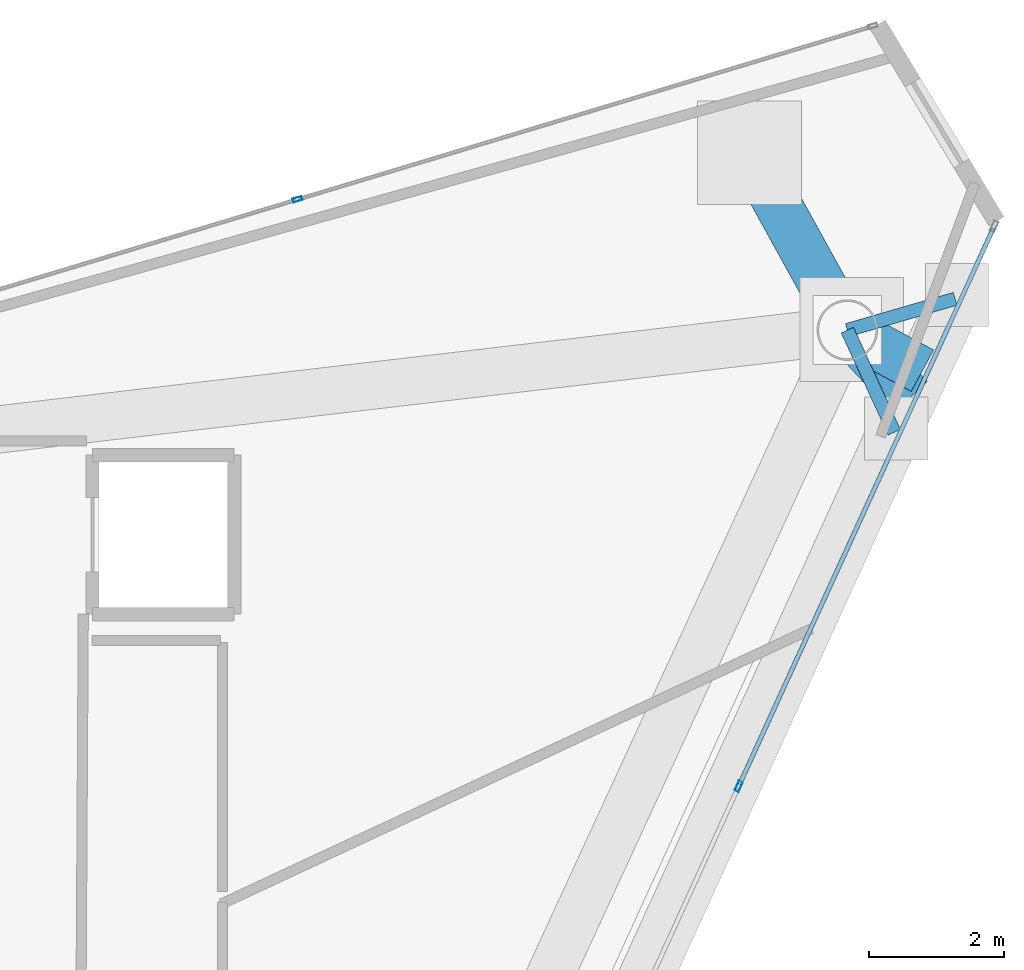
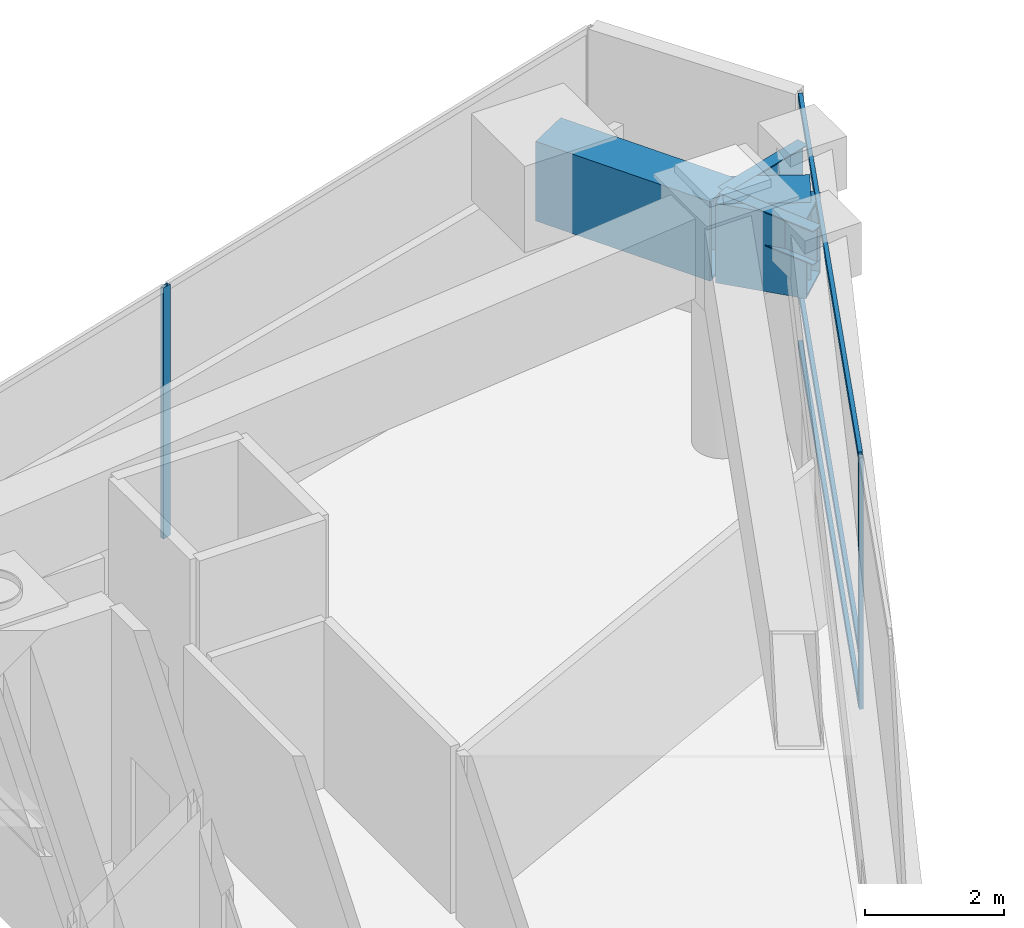
# One storey, part 13 of 20: 5 beams, 5 members, 2 elements without a shape of their own.
"""IFC4 building model written with IfcOpenShell, lengths in metres."""

from ifc_helpers import new_model, si_unit, direction, frame, origin, origin_2d, place, context, subcontext, project, spatial, hollow_rectangle, i_section, extrude, material, layer, layer_set, material_profile, profile_set, type_object, element, aggregate, save


model = new_model("IFC4")

# Units and contexts
model_context = context("Model", 3, precision=1e-05, world=origin(), true_north=direction((0.0, 1.0)))
body_context = subcontext(model_context, "Body", "Model", "MODEL_VIEW")
ifc_project = project(units=[si_unit("LENGTHUNIT", "METRE"), si_unit("AREAUNIT", "SQUARE_METRE"), si_unit("VOLUMEUNIT", "CUBIC_METRE"), si_unit("PLANEANGLEUNIT", "RADIAN"), si_unit("MASSUNIT", "GRAM", prefix="KILO")], contexts=[model_context])

# Site, building, storey
site_placement = place(None, origin())
site = spatial("IfcSite", under=ifc_project, at=site_placement, CompositionType="ELEMENT")
building_placement = place(site_placement, origin())
building = spatial("IfcBuilding", under=site, at=building_placement, Name="Qianvela Tower", CompositionType="ELEMENT")
storey_placement = place(building_placement, frame((0.0, 0.0, 321.300048828125)))
storey = spatial("IfcBuildingStorey", under=building, at=storey_placement, Name="L83", CompositionType="ELEMENT", Elevation=321.300048828125)

# Beams
ifc_material_1 = material(Name="Steel Q355B", Category="steel")
ifc_material_profile_1 = material_profile(ifc_material_1, i_section(OverallWidth=0.199951171875, OverallDepth=0.60009765625, WebThickness=0.010986328125, FlangeThickness=0.01708984375, at=origin_2d()), Name="HN600x200x11x17")
ifc_profile_set_1 = profile_set([ifc_material_profile_1], Name="Steel Q355B")
beam_type_1 = type_object("IfcBeamType", Name="BM-HN600-GIRD", PredefinedType="BEAM", material=ifc_profile_set_1)
beam_1_placement = place(storey_placement, frame((52.64794921875, 37.135009765625, 4.117919921875), z_axis=(0.418055411606, -0.908421528161, 0.0), x_axis=(0.908421528161, 0.418055411606, 0.0)))
element("IfcBeam", 1, at=beam_1_placement, inside=storey, type_object=beam_type_1, Name="L83 Mega-Brace Column Tie Bracket F3-1", PredefinedType="BEAM", context=body_context, shape_type="SweptSolid", body=[
    extrude(i_section(OverallWidth=0.199951171875, OverallDepth=0.60009765625, WebThickness=0.010986328125, FlangeThickness=0.01708984375, at=origin_2d()), origin(), (0.0, 0.0, 1.0), 1.66796875),
])
beam_2_placement = place(storey_placement, frame((52.64794921875, 37.135009765625, 4.117919921875), z_axis=(0.960505537292, 0.278260871902, 0.0), x_axis=(-0.278260871902, 0.960505537292, 0.0)))
element("IfcBeam", 2, at=beam_2_placement, inside=storey, type_object=beam_type_1, Name="L83 Mega-Brace Column Tie Bracket F3-2", PredefinedType="BEAM", context=body_context, shape_type="SweptSolid", body=[
    extrude(i_section(OverallWidth=0.199951171875, OverallDepth=0.60009765625, WebThickness=0.010986328125, FlangeThickness=0.01708984375, at=origin_2d()), origin(), (0.0, 0.0, 1.0), 1.666259765625),
])
ifc_material_2 = material(Name="Steel Q420GJC", Category="steel")
ifc_material_profile_2 = material_profile(ifc_material_2, hollow_rectangle(XDim=0.699951171875, YDim=1.39990234375, WallThickness=0.0400390625, at=origin_2d()), Name="TG-BOX-1400x700x40")
ifc_profile_set_2 = profile_set([ifc_material_profile_2], Name="Steel Q420GJC")
beam_type_2 = type_object("IfcBeamType", Name="BM-TG-STEP-1400", PredefinedType="BEAM", material=ifc_profile_set_2)
beam_3_placement = place(storey_placement, frame((52.64794921875, 37.135009765625, 3.71484375), z_axis=(0.680943745316, -0.732335726095, 0.0), x_axis=(0.732335726095, 0.680943745316, 0.0)))
element("IfcBeam", 3, at=beam_3_placement, inside=storey, type_object=beam_type_2, Name="L83 Mega-Brace Zone Base Bracket F3-1", PredefinedType="BEAM", context=body_context, shape_type="SweptSolid", body=[
    extrude(hollow_rectangle(XDim=0.699951171875, YDim=1.39990234375, WallThickness=0.0400390625, at=origin_2d()), origin(), (0.0, 0.0, 1.0), 1.3681640625),
])
beam_4_placement = place(storey_placement, frame((52.64794921875, 37.135009765625, 3.71484375), z_axis=(0.879869930919, -0.475214588018, 0.0), x_axis=(0.475214588018, 0.879869930919, 0.0)))
element("IfcBeam", 4, at=beam_4_placement, inside=storey, type_object=beam_type_2, Name="L83 Mega-Brace Zone Base Bracket F3-2", PredefinedType="BEAM", context=body_context, shape_type="SweptSolid", body=[
    extrude(hollow_rectangle(XDim=0.699951171875, YDim=1.39990234375, WallThickness=0.0400390625, at=origin_2d()), origin(), (0.0, 0.0, 1.0), 1.266357421875),
])
beam_5_placement = place(storey_placement, frame((52.64794921875, 37.135009765625, 3.718017578125), z_axis=(-0.48341985081, 0.87538862675, 0.0), x_axis=(-0.87538862675, -0.48341985081, 0.0)))
element("IfcBeam", 5, at=beam_5_placement, inside=storey, type_object=beam_type_2, Name="L83 Zone-Step Transfer Girder 1", PredefinedType="BEAM", context=body_context, shape_type="SweptSolid", body=[
    extrude(hollow_rectangle(XDim=0.699951171875, YDim=1.39990234375, WallThickness=0.0400390625, at=origin_2d()), origin(), (0.0, 0.0, 1.0), 2.939208984375),
])

# Curtain wall, members
ifc_material_3 = material(Name="Anodised Architectural Aluminium and Insulated Spandrel Panel", Category="aluminium")
ifc_layer_1 = layer(ifc_material_3, 0.179931640625)
ifc_layer_set_1 = layer_set([ifc_layer_1], Name="Anodised Architectural Aluminium and Insulated Spandrel Panel")
curtain_wall_type_1 = type_object("IfcCurtainWallType", Name="CW-BRACEBAY", PredefinedType="USERDEFINED", material=ifc_layer_set_1)
curtain_wall_1_placement = place(storey_placement, origin())
curtain_wall_1 = element("IfcCurtainWall", 6, at=curtain_wall_1_placement, inside=storey, type_object=curtain_wall_type_1, Name="L83 CW-BRACEBAY Curtain Wall 06B", ObjectType="CURTAIN_WALL_SYSTEM", PredefinedType="USERDEFINED")
ifc_material_4 = material(Name="Anodised Architectural Aluminium 6063-T6", Category="aluminium")
ifc_material_profile_3 = material_profile(ifc_material_4, hollow_rectangle(XDim=0.06494140625, YDim=0.159912109375, WallThickness=0.0048828125, at=origin_2d()), Name="ALU-MULL-65x160")
ifc_profile_set_3 = profile_set([ifc_material_profile_3], Name="Anodised Architectural Aluminium 6063-T6")
member_type_1 = type_object("IfcMemberType", Name="CW-BRACEBAY-MULL", PredefinedType="MULLION", material=ifc_profile_set_3)
member_1_placement = place(storey_placement, frame((51.037109375, 30.368408203125, 0.0), z_axis=(0.0, 0.0, 1.0), x_axis=(-0.909767014219, 0.415119235689, 0.0)))
member_1 = element("IfcMember", 7, at=member_1_placement, type_object=member_type_1, Name="CW-9 mullion 2", PredefinedType="MULLION", context=body_context, shape_type="SweptSolid", body=[
    extrude(hollow_rectangle(XDim=0.06494140625, YDim=0.159912109375, WallThickness=0.0048828125, at=origin_2d()), origin(), (0.0, 0.0, 1.0), 4.419921875),
])
ifc_material_5 = material(Name="Anodised Architectural Aluminium 6063-T6", Category="aluminium")
ifc_material_profile_4 = material_profile(ifc_material_5, hollow_rectangle(XDim=0.06494140625, YDim=0.1298828125, WallThickness=0.00439453125, at=origin_2d()), Name="ALU-TRAN-65x130")
ifc_profile_set_4 = profile_set([ifc_material_profile_4], Name="Anodised Architectural Aluminium 6063-T6")
member_type_2 = type_object("IfcMemberType", Name="CW-BRACEBAY-TRAN", PredefinedType="USERDEFINED", material=ifc_profile_set_4)
member_2_placement = place(storey_placement, frame((51.050537109375, 30.39794921875, 0.032470703125), z_axis=(0.415123705379, 0.909764974723, 0.0), x_axis=(-0.909764974723, 0.415123705379, 0.0)))
member_2 = element("IfcMember", 8, at=member_2_placement, type_object=member_type_2, Name="CW-9 transom 2.1", ObjectType="TRANSOM", PredefinedType="USERDEFINED", context=body_context, shape_type="SweptSolid", body=[
    extrude(hollow_rectangle(XDim=0.06494140625, YDim=0.1298828125, WallThickness=0.00439453125, at=origin_2d()), origin(), (0.0, 0.0, 1.0), 9.0634765625),
])
member_3_placement = place(storey_placement, frame((51.050537109375, 30.39794921875, 0.949951171875), z_axis=(0.415123705379, 0.909764974723, 0.0), x_axis=(-0.909764974723, 0.415123705379, 0.0)))
member_3 = element("IfcMember", 9, at=member_3_placement, type_object=member_type_2, Name="CW-9 transom 2.2", ObjectType="TRANSOM", PredefinedType="USERDEFINED", context=body_context, shape_type="SweptSolid", body=[
    extrude(hollow_rectangle(XDim=0.06494140625, YDim=0.1298828125, WallThickness=0.00439453125, at=origin_2d()), origin(), (0.0, 0.0, 1.0), 9.0634765625),
])
member_4_placement = place(storey_placement, frame((51.050537109375, 30.39794921875, 4.387451171875), z_axis=(0.415123705379, 0.909764974723, 0.0), x_axis=(-0.909764974723, 0.415123705379, 0.0)))
member_4 = element("IfcMember", 10, at=member_4_placement, type_object=member_type_2, Name="CW-9 transom 2.3", ObjectType="TRANSOM", PredefinedType="USERDEFINED", context=body_context, shape_type="SweptSolid", body=[
    extrude(hollow_rectangle(XDim=0.06494140625, YDim=0.1298828125, WallThickness=0.00439453125, at=origin_2d()), origin(), (0.0, 0.0, 1.0), 9.0634765625),
])
aggregate(curtain_wall_1, [member_1, member_2, member_3, member_4])

# Curtain wall, member
ifc_material_6 = material(Name="Anodised Architectural Aluminium and Low-E Glass", Category="aluminium")
ifc_layer_2 = layer(ifc_material_6, 0.14990234375)
ifc_layer_set_2 = layer_set([ifc_layer_2], Name="Anodised Architectural Aluminium and Low-E Glass")
curtain_wall_type_2 = type_object("IfcCurtainWallType", Name="CW-COLIV-Z78", PredefinedType="USERDEFINED", material=ifc_layer_set_2)
curtain_wall_2_placement = place(storey_placement, origin())
curtain_wall_2 = element("IfcCurtainWall", 11, at=curtain_wall_2_placement, inside=storey, type_object=curtain_wall_type_2, Name="L83 CW-COLIV-Z78 Curtain Wall 02A", ObjectType="CURTAIN_WALL_SYSTEM", PredefinedType="USERDEFINED")
ifc_material_7 = material(Name="Anodised Architectural Aluminium 6063-T6", Category="aluminium")
ifc_material_profile_5 = material_profile(ifc_material_7, hollow_rectangle(XDim=0.06005859375, YDim=0.139892578125, WallThickness=0.00439453125, at=origin_2d()), Name="ALU-MULL-60x140")
ifc_profile_set_5 = profile_set([ifc_material_profile_5], Name="Anodised Architectural Aluminium 6063-T6")
member_type_3 = type_object("IfcMemberType", Name="CW-COLIV-Z78-MULL", PredefinedType="MULLION", material=ifc_profile_set_5)
member_5_placement = place(storey_placement, frame((44.491455078125, 39.074951171875, 0.0), z_axis=(0.0, 0.0, 1.0), x_axis=(0.288479597216, -0.957486042713, 0.0)))
member_5 = element("IfcMember", 12, at=member_5_placement, type_object=member_type_3, Name="CW-6 mullion 2", PredefinedType="MULLION", context=body_context, shape_type="SweptSolid", body=[
    extrude(hollow_rectangle(XDim=0.06005859375, YDim=0.139892578125, WallThickness=0.00439453125, at=origin_2d()), origin(), (0.0, 0.0, 1.0), 4.419921875),
])
aggregate(curtain_wall_2, [member_5])

save(model, "model.ifc")
